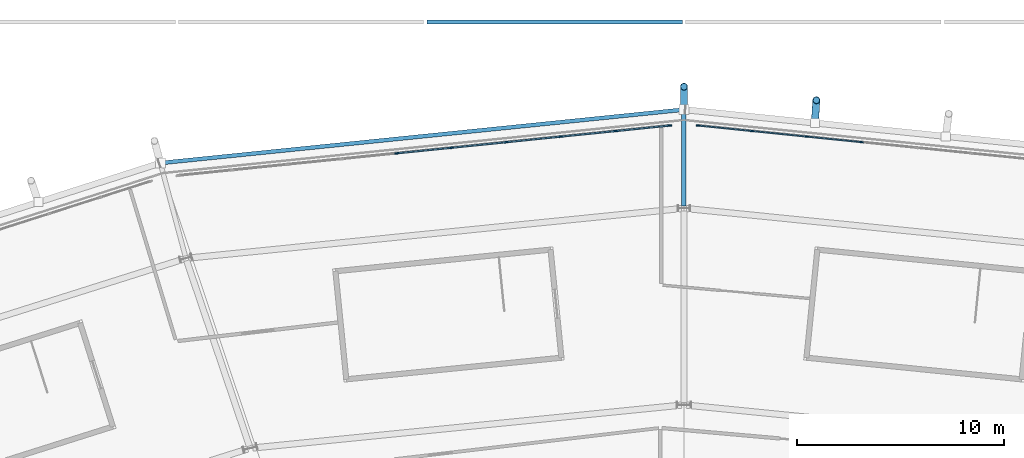
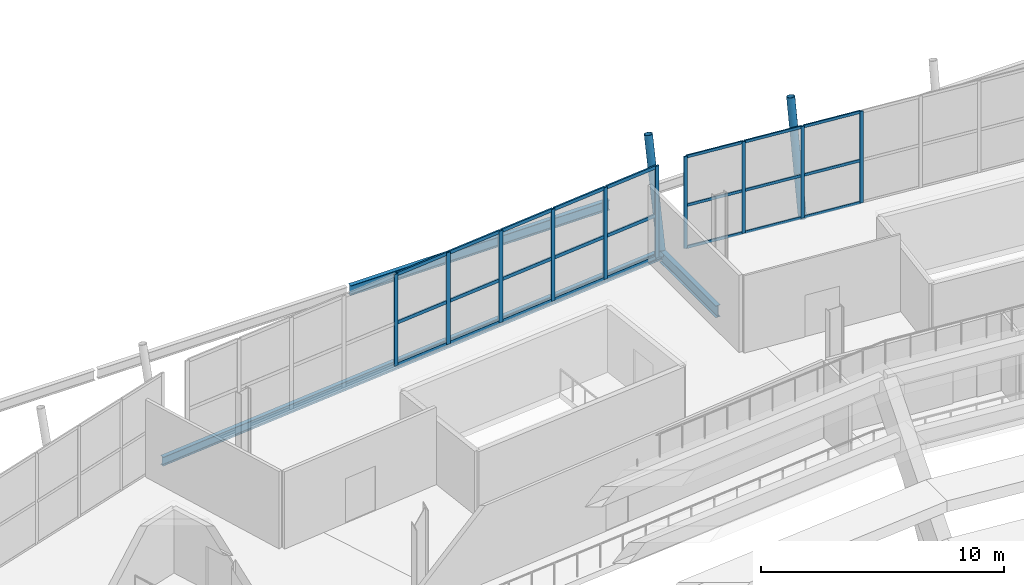
# One storey, part 54 of 126: 36 members, 3 beams, 2 elements without a shape of their own.
"""IFC4 building model written with IfcOpenShell, lengths in metres."""

from ifc_helpers import new_model, si_unit, direction, frame, origin, origin_2d, place, context, subcontext, project, spatial, rectangle, hollow_circle, i_section, extrude, material, material_profile, profile_set, type_object, element, aggregate, save


model = new_model("IFC4")

# Units and contexts
model_context = context("Model", 3, precision=1e-05, world=origin(), true_north=direction((0.0, 1.0)))
body_context = subcontext(model_context, "Body", "Model", "MODEL_VIEW")
ifc_project = project(units=[si_unit("LENGTHUNIT", "METRE"), si_unit("AREAUNIT", "SQUARE_METRE"), si_unit("VOLUMEUNIT", "CUBIC_METRE"), si_unit("PLANEANGLEUNIT", "RADIAN"), si_unit("MASSUNIT", "GRAM", prefix="KILO")], contexts=[model_context])

# Site, building, storey
site_placement = place(None, origin())
site = spatial("IfcSite", under=ifc_project, at=site_placement, CompositionType="ELEMENT")
building_placement = place(site_placement, origin())
building = spatial("IfcBuilding", under=site, at=building_placement, Name="Zlatoyarsky Gate Stadium", CompositionType="ELEMENT")
storey_placement = place(building_placement, frame((0.0, 0.0, 20.800048828125)))
storey = spatial("IfcBuildingStorey", under=building, at=storey_placement, Name="L04", CompositionType="ELEMENT", Elevation=20.800048828125)

# Curtain wall, members
ifc_material_1 = material(Name="Thermally broken anodised aluminium curtain wall", Category="aluminium")
curtain_wall_type_1 = type_object("IfcCurtainWallType", Name="MONUMENTAL ARCHED GATE GLAZING LOWER", PredefinedType="USERDEFINED", material=ifc_material_1)
curtain_wall_1_placement = place(storey_placement, origin())
curtain_wall_1 = element("IfcCurtainWall", 1, at=curtain_wall_1_placement, inside=storey, type_object=curtain_wall_type_1, Name="Curtain wall CW-L04-06", ObjectType="ARCHED GATE GLAZING", PredefinedType="USERDEFINED")
ifc_material_2 = material(Name="Anodised aluminium 6063-T6", Category="aluminium")
ifc_material_profile_1 = material_profile(ifc_material_2, rectangle(XDim=0.074951171875, YDim=0.18994140625, at=origin_2d()), Name="ALU 75X190")
ifc_profile_set_1 = profile_set([ifc_material_profile_1], Name="Anodised aluminium 6063-T6")
member_type_1 = type_object("IfcMemberType", Name="ALUMINIUM GATE MULLION 75X190", PredefinedType="MULLION", material=ifc_profile_set_1)
member_1_placement = place(storey_placement, frame((110.31591796875, 155.0, 0.0), z_axis=(0.0, 0.0, 1.0), x_axis=(0.10129293102, -0.994856644007, 0.0)))
member_1 = element("IfcMember", 2, at=member_1_placement, type_object=member_type_1, Name="CW-AG1 mullion 1", PredefinedType="MULLION", context=body_context, shape_type="SweptSolid", body=[
    extrude(rectangle(XDim=0.074951171875, YDim=0.18994140625, at=origin_2d()), origin(), (0.0, 0.0, 1.0), 4.619873046875),
])
member_2_placement = place(storey_placement, frame((107.70556640625, 154.734130859375, 0.0), z_axis=(0.0, 0.0, 1.0), x_axis=(0.10129293102, -0.994856644007, 0.0)))
member_2 = element("IfcMember", 3, at=member_2_placement, type_object=member_type_1, Name="CW-AG1 mullion 2", PredefinedType="MULLION", context=body_context, shape_type="SweptSolid", body=[
    extrude(rectangle(XDim=0.074951171875, YDim=0.18994140625, at=origin_2d()), origin(), (0.0, 0.0, 1.0), 4.619873046875),
])
member_3_placement = place(storey_placement, frame((105.0576171875, 154.464599609375, 0.0), z_axis=(0.0, 0.0, 1.0), x_axis=(0.10129293102, -0.994856644007, 0.0)))
member_3 = element("IfcMember", 4, at=member_3_placement, type_object=member_type_1, Name="CW-AG1 mullion 3", PredefinedType="MULLION", context=body_context, shape_type="SweptSolid", body=[
    extrude(rectangle(XDim=0.074951171875, YDim=0.18994140625, at=origin_2d()), origin(), (0.0, 0.0, 1.0), 4.619873046875),
])
member_4_placement = place(storey_placement, frame((102.409912109375, 154.195068359375, 0.0), z_axis=(0.0, 0.0, 1.0), x_axis=(0.10129293102, -0.994856644007, 0.0)))
member_4 = element("IfcMember", 5, at=member_4_placement, type_object=member_type_1, Name="CW-AG1 mullion 4", PredefinedType="MULLION", context=body_context, shape_type="SweptSolid", body=[
    extrude(rectangle(XDim=0.074951171875, YDim=0.18994140625, at=origin_2d()), origin(), (0.0, 0.0, 1.0), 4.619873046875),
])
member_5_placement = place(storey_placement, frame((99.76220703125, 153.925537109375, 0.0), z_axis=(0.0, 0.0, 1.0), x_axis=(0.10129293102, -0.994856644007, 0.0)))
member_5 = element("IfcMember", 6, at=member_5_placement, type_object=member_type_1, Name="CW-AG1 mullion 5", PredefinedType="MULLION", context=body_context, shape_type="SweptSolid", body=[
    extrude(rectangle(XDim=0.074951171875, YDim=0.18994140625, at=origin_2d()), origin(), (0.0, 0.0, 1.0), 4.619873046875),
])
member_6_placement = place(storey_placement, frame((97.1142578125, 153.65576171875, 0.0), z_axis=(0.0, 0.0, 1.0), x_axis=(0.10129293102, -0.994856644007, 0.0)))
member_6 = element("IfcMember", 7, at=member_6_placement, type_object=member_type_1, Name="CW-AG1 mullion 6", PredefinedType="MULLION", context=body_context, shape_type="SweptSolid", body=[
    extrude(rectangle(XDim=0.074951171875, YDim=0.18994140625, at=origin_2d()), origin(), (0.0, 0.0, 1.0), 4.619873046875),
])
ifc_material_profile_2 = material_profile(ifc_material_2, rectangle(XDim=0.074951171875, YDim=0.169921875, at=origin_2d()), Name="ALU 75X170")
ifc_profile_set_2 = profile_set([ifc_material_profile_2], Name="Anodised aluminium 6063-T6")
member_type_2 = type_object("IfcMemberType", Name="ALUMINIUM GATE TRANSOM 75X170", PredefinedType="USERDEFINED", material=ifc_profile_set_2)
member_7_placement = place(storey_placement, frame((110.278564453125, 154.99609375, 0.037353515625), z_axis=(-0.994861153899, -0.101248626966, 0.0), x_axis=(0.101248626966, -0.994861153899, 0.0)))
member_7 = element("IfcMember", 8, at=member_7_placement, type_object=member_type_2, Name="CW-AG1 transom 1.1", ObjectType="TRANSOM", PredefinedType="USERDEFINED", context=body_context, shape_type="SweptSolid", body=[
    extrude(rectangle(XDim=0.074951171875, YDim=0.169921875, at=origin_2d()), origin(), (0.0, 0.0, 1.0), 2.548828125),
])
member_8_placement = place(storey_placement, frame((110.278564453125, 154.99609375, 2.14990234375), z_axis=(-0.994861153899, -0.101248626966, 0.0), x_axis=(0.101248626966, -0.994861153899, 0.0)))
member_8 = element("IfcMember", 9, at=member_8_placement, type_object=member_type_2, Name="CW-AG1 transom 1.2", ObjectType="TRANSOM", PredefinedType="USERDEFINED", context=body_context, shape_type="SweptSolid", body=[
    extrude(rectangle(XDim=0.074951171875, YDim=0.169921875, at=origin_2d()), origin(), (0.0, 0.0, 1.0), 2.548828125),
])
member_9_placement = place(storey_placement, frame((110.278564453125, 154.99609375, 4.58251953125), z_axis=(-0.994861153899, -0.101248626966, 0.0), x_axis=(0.101248626966, -0.994861153899, 0.0)))
member_9 = element("IfcMember", 10, at=member_9_placement, type_object=member_type_2, Name="CW-AG1 transom 1.3", ObjectType="TRANSOM", PredefinedType="USERDEFINED", context=body_context, shape_type="SweptSolid", body=[
    extrude(rectangle(XDim=0.074951171875, YDim=0.169921875, at=origin_2d()), origin(), (0.0, 0.0, 1.0), 2.548828125),
])
member_10_placement = place(storey_placement, frame((107.668212890625, 154.73046875, 0.037353515625), z_axis=(-0.994858042808, -0.101279191644, 0.0), x_axis=(0.101279191644, -0.994858042808, 0.0)))
member_10 = element("IfcMember", 11, at=member_10_placement, type_object=member_type_2, Name="CW-AG1 transom 2.1", ObjectType="TRANSOM", PredefinedType="USERDEFINED", context=body_context, shape_type="SweptSolid", body=[
    extrude(rectangle(XDim=0.074951171875, YDim=0.169921875, at=origin_2d()), origin(), (0.0, 0.0, 1.0), 2.58642578125),
])
member_11_placement = place(storey_placement, frame((107.668212890625, 154.73046875, 2.14990234375), z_axis=(-0.994858042808, -0.101279191644, 0.0), x_axis=(0.101279191644, -0.994858042808, 0.0)))
member_11 = element("IfcMember", 12, at=member_11_placement, type_object=member_type_2, Name="CW-AG1 transom 2.2", ObjectType="TRANSOM", PredefinedType="USERDEFINED", context=body_context, shape_type="SweptSolid", body=[
    extrude(rectangle(XDim=0.074951171875, YDim=0.169921875, at=origin_2d()), origin(), (0.0, 0.0, 1.0), 2.58642578125),
])
member_12_placement = place(storey_placement, frame((107.668212890625, 154.73046875, 4.58251953125), z_axis=(-0.994858042808, -0.101279191644, 0.0), x_axis=(0.101279191644, -0.994858042808, 0.0)))
member_12 = element("IfcMember", 13, at=member_12_placement, type_object=member_type_2, Name="CW-AG1 transom 2.3", ObjectType="TRANSOM", PredefinedType="USERDEFINED", context=body_context, shape_type="SweptSolid", body=[
    extrude(rectangle(XDim=0.074951171875, YDim=0.169921875, at=origin_2d()), origin(), (0.0, 0.0, 1.0), 2.58642578125),
])
member_13_placement = place(storey_placement, frame((105.0205078125, 154.4609375, 0.037353515625), z_axis=(-0.994848528046, -0.101372610922, 0.0), x_axis=(0.101372610922, -0.994848528046, 0.0)))
member_13 = element("IfcMember", 14, at=member_13_placement, type_object=member_type_2, Name="CW-AG1 transom 3.1", ObjectType="TRANSOM", PredefinedType="USERDEFINED", context=body_context, shape_type="SweptSolid", body=[
    extrude(rectangle(XDim=0.074951171875, YDim=0.169921875, at=origin_2d()), origin(), (0.0, 0.0, 1.0), 2.586669921875),
])
member_14_placement = place(storey_placement, frame((105.0205078125, 154.4609375, 2.14990234375), z_axis=(-0.994848528046, -0.101372610922, 0.0), x_axis=(0.101372610922, -0.994848528046, 0.0)))
member_14 = element("IfcMember", 15, at=member_14_placement, type_object=member_type_2, Name="CW-AG1 transom 3.2", ObjectType="TRANSOM", PredefinedType="USERDEFINED", context=body_context, shape_type="SweptSolid", body=[
    extrude(rectangle(XDim=0.074951171875, YDim=0.169921875, at=origin_2d()), origin(), (0.0, 0.0, 1.0), 2.586669921875),
])
member_15_placement = place(storey_placement, frame((105.0205078125, 154.4609375, 4.58251953125), z_axis=(-0.994848528046, -0.101372610922, 0.0), x_axis=(0.101372610922, -0.994848528046, 0.0)))
member_15 = element("IfcMember", 16, at=member_15_placement, type_object=member_type_2, Name="CW-AG1 transom 3.3", ObjectType="TRANSOM", PredefinedType="USERDEFINED", context=body_context, shape_type="SweptSolid", body=[
    extrude(rectangle(XDim=0.074951171875, YDim=0.169921875, at=origin_2d()), origin(), (0.0, 0.0, 1.0), 2.586669921875),
])
member_16_placement = place(storey_placement, frame((102.37255859375, 154.191162109375, 0.037353515625), z_axis=(-0.994857074481, -0.101288703, 0.0), x_axis=(0.101288703, -0.994857074481, 0.0)))
member_16 = element("IfcMember", 17, at=member_16_placement, type_object=member_type_2, Name="CW-AG1 transom 4.1", ObjectType="TRANSOM", PredefinedType="USERDEFINED", context=body_context, shape_type="SweptSolid", body=[
    extrude(rectangle(XDim=0.074951171875, YDim=0.169921875, at=origin_2d()), origin(), (0.0, 0.0, 1.0), 2.586181640625),
])
member_17_placement = place(storey_placement, frame((102.37255859375, 154.191162109375, 2.14990234375), z_axis=(-0.994857074481, -0.101288703, 0.0), x_axis=(0.101288703, -0.994857074481, 0.0)))
member_17 = element("IfcMember", 18, at=member_17_placement, type_object=member_type_2, Name="CW-AG1 transom 4.2", ObjectType="TRANSOM", PredefinedType="USERDEFINED", context=body_context, shape_type="SweptSolid", body=[
    extrude(rectangle(XDim=0.074951171875, YDim=0.169921875, at=origin_2d()), origin(), (0.0, 0.0, 1.0), 2.586181640625),
])
member_18_placement = place(storey_placement, frame((102.37255859375, 154.191162109375, 4.58251953125), z_axis=(-0.994857074481, -0.101288703, 0.0), x_axis=(0.101288703, -0.994857074481, 0.0)))
member_18 = element("IfcMember", 19, at=member_18_placement, type_object=member_type_2, Name="CW-AG1 transom 4.3", ObjectType="TRANSOM", PredefinedType="USERDEFINED", context=body_context, shape_type="SweptSolid", body=[
    extrude(rectangle(XDim=0.074951171875, YDim=0.169921875, at=origin_2d()), origin(), (0.0, 0.0, 1.0), 2.586181640625),
])
member_19_placement = place(storey_placement, frame((99.724853515625, 153.921630859375, 0.037353515625), z_axis=(-0.994858042808, -0.101279191644, 0.0), x_axis=(0.101279191644, -0.994858042808, 0.0)))
member_19 = element("IfcMember", 20, at=member_19_placement, type_object=member_type_2, Name="CW-AG1 transom 5.1", ObjectType="TRANSOM", PredefinedType="USERDEFINED", context=body_context, shape_type="SweptSolid", body=[
    extrude(rectangle(XDim=0.074951171875, YDim=0.169921875, at=origin_2d()), origin(), (0.0, 0.0, 1.0), 2.58642578125),
])
member_20_placement = place(storey_placement, frame((99.724853515625, 153.921630859375, 2.14990234375), z_axis=(-0.994858042808, -0.101279191644, 0.0), x_axis=(0.101279191644, -0.994858042808, 0.0)))
member_20 = element("IfcMember", 21, at=member_20_placement, type_object=member_type_2, Name="CW-AG1 transom 5.2", ObjectType="TRANSOM", PredefinedType="USERDEFINED", context=body_context, shape_type="SweptSolid", body=[
    extrude(rectangle(XDim=0.074951171875, YDim=0.169921875, at=origin_2d()), origin(), (0.0, 0.0, 1.0), 2.58642578125),
])
member_21_placement = place(storey_placement, frame((99.724853515625, 153.921630859375, 4.58251953125), z_axis=(-0.994858042808, -0.101279191644, 0.0), x_axis=(0.101279191644, -0.994858042808, 0.0)))
member_21 = element("IfcMember", 22, at=member_21_placement, type_object=member_type_2, Name="CW-AG1 transom 5.3", ObjectType="TRANSOM", PredefinedType="USERDEFINED", context=body_context, shape_type="SweptSolid", body=[
    extrude(rectangle(XDim=0.074951171875, YDim=0.169921875, at=origin_2d()), origin(), (0.0, 0.0, 1.0), 2.58642578125),
])
aggregate(curtain_wall_1, [member_1, member_2, member_3, member_4, member_5, member_6, member_7, member_8, member_9, member_10, member_11, member_12, member_13, member_14, member_15, member_16, member_17, member_18, member_19, member_20, member_21])

curtain_wall_type_2 = type_object("IfcCurtainWallType", Name="UNITISED MEDIA RING GLAZING L04", PredefinedType="USERDEFINED", material=ifc_material_1)
curtain_wall_2_placement = place(storey_placement, origin())
curtain_wall_2 = element("IfcCurtainWall", 23, at=curtain_wall_2_placement, inside=storey, type_object=curtain_wall_type_2, Name="Curtain wall CW-L04-05", ObjectType="UNITISED GLAZING", PredefinedType="USERDEFINED")
ifc_material_profile_3 = material_profile(ifc_material_2, rectangle(XDim=0.06494140625, YDim=0.159912109375, at=origin_2d()), Name="ALU 65X160")
ifc_profile_set_3 = profile_set([ifc_material_profile_3], Name="Anodised aluminium 6063-T6")
member_type_3 = type_object("IfcMemberType", Name="ALUMINIUM MULLION 65X160", PredefinedType="MULLION", material=ifc_profile_set_3)
member_22_placement = place(storey_placement, frame((119.590087890625, 154.195068359375, 0.0), z_axis=(0.0, 0.0, 1.0), x_axis=(-0.10129293102, -0.994856644007, 0.0)))
member_22 = element("IfcMember", 24, at=member_22_placement, type_object=member_type_3, Name="CW-UG4 mullion 7", PredefinedType="MULLION", context=body_context, shape_type="SweptSolid", body=[
    extrude(rectangle(XDim=0.06494140625, YDim=0.159912109375, at=origin_2d()), origin(), (0.0, 0.0, 1.0), 4.619873046875),
])
member_23_placement = place(storey_placement, frame((116.9423828125, 154.464599609375, 0.0), z_axis=(0.0, 0.0, 1.0), x_axis=(-0.10129293102, -0.994856644007, 0.0)))
member_23 = element("IfcMember", 25, at=member_23_placement, type_object=member_type_3, Name="CW-UG4 mullion 8", PredefinedType="MULLION", context=body_context, shape_type="SweptSolid", body=[
    extrude(rectangle(XDim=0.06494140625, YDim=0.159912109375, at=origin_2d()), origin(), (0.0, 0.0, 1.0), 4.619873046875),
])
member_24_placement = place(storey_placement, frame((114.29443359375, 154.734130859375, 0.0), z_axis=(0.0, 0.0, 1.0), x_axis=(-0.10129293102, -0.994856644007, 0.0)))
member_24 = element("IfcMember", 26, at=member_24_placement, type_object=member_type_3, Name="CW-UG4 mullion 9", PredefinedType="MULLION", context=body_context, shape_type="SweptSolid", body=[
    extrude(rectangle(XDim=0.06494140625, YDim=0.159912109375, at=origin_2d()), origin(), (0.0, 0.0, 1.0), 4.619873046875),
])
member_25_placement = place(storey_placement, frame((111.678955078125, 155.00048828125, 0.0), z_axis=(0.0, 0.0, 1.0), x_axis=(-0.10129293102, -0.994856644007, 0.0)))
member_25 = element("IfcMember", 27, at=member_25_placement, type_object=member_type_3, Name="CW-UG4 mullion 10", PredefinedType="MULLION", context=body_context, shape_type="SweptSolid", body=[
    extrude(rectangle(XDim=0.06494140625, YDim=0.159912109375, at=origin_2d()), origin(), (0.0, 0.0, 1.0), 4.619873046875),
])
ifc_material_profile_4 = material_profile(ifc_material_2, rectangle(XDim=0.06494140625, YDim=0.139892578125, at=origin_2d()), Name="ALU 65X140")
ifc_profile_set_4 = profile_set([ifc_material_profile_4], Name="Anodised aluminium 6063-T6")
member_type_4 = type_object("IfcMemberType", Name="ALUMINIUM TRANSOM 65X140", PredefinedType="USERDEFINED", material=ifc_profile_set_4)
member_26_placement = place(storey_placement, frame((119.5576171875, 154.1982421875, 0.032470703125), z_axis=(-0.994849247799, 0.101365547176, 0.0), x_axis=(-0.101365547176, -0.994849247799, 0.0)))
member_26 = element("IfcMember", 28, at=member_26_placement, type_object=member_type_4, Name="CW-UG4 transom 7.1", ObjectType="TRANSOM", PredefinedType="USERDEFINED", context=body_context, shape_type="SweptSolid", body=[
    extrude(rectangle(XDim=0.06494140625, YDim=0.139892578125, at=origin_2d()), origin(), (0.0, 0.0, 1.0), 2.596435546875),
])
member_27_placement = place(storey_placement, frame((119.5576171875, 154.1982421875, 2.14990234375), z_axis=(-0.994849247799, 0.101365547176, 0.0), x_axis=(-0.101365547176, -0.994849247799, 0.0)))
member_27 = element("IfcMember", 29, at=member_27_placement, type_object=member_type_4, Name="CW-UG4 transom 7.2", ObjectType="TRANSOM", PredefinedType="USERDEFINED", context=body_context, shape_type="SweptSolid", body=[
    extrude(rectangle(XDim=0.06494140625, YDim=0.139892578125, at=origin_2d()), origin(), (0.0, 0.0, 1.0), 2.596435546875),
])
member_28_placement = place(storey_placement, frame((119.5576171875, 154.1982421875, 4.58740234375), z_axis=(-0.994849247799, 0.101365547176, 0.0), x_axis=(-0.101365547176, -0.994849247799, 0.0)))
member_28 = element("IfcMember", 30, at=member_28_placement, type_object=member_type_4, Name="CW-UG4 transom 7.3", ObjectType="TRANSOM", PredefinedType="USERDEFINED", context=body_context, shape_type="SweptSolid", body=[
    extrude(rectangle(XDim=0.06494140625, YDim=0.139892578125, at=origin_2d()), origin(), (0.0, 0.0, 1.0), 2.596435546875),
])
member_29_placement = place(storey_placement, frame((116.909912109375, 154.468017578125, 0.032470703125), z_axis=(-0.994858725957, 0.101272480894, 0.0), x_axis=(-0.101272480894, -0.994858725957, 0.0)))
member_29 = element("IfcMember", 31, at=member_29_placement, type_object=member_type_4, Name="CW-UG4 transom 8.1", ObjectType="TRANSOM", PredefinedType="USERDEFINED", context=body_context, shape_type="SweptSolid", body=[
    extrude(rectangle(XDim=0.06494140625, YDim=0.139892578125, at=origin_2d()), origin(), (0.0, 0.0, 1.0), 2.596435546875),
])
member_30_placement = place(storey_placement, frame((116.909912109375, 154.468017578125, 2.14990234375), z_axis=(-0.994858725957, 0.101272480894, 0.0), x_axis=(-0.101272480894, -0.994858725957, 0.0)))
member_30 = element("IfcMember", 32, at=member_30_placement, type_object=member_type_4, Name="CW-UG4 transom 8.2", ObjectType="TRANSOM", PredefinedType="USERDEFINED", context=body_context, shape_type="SweptSolid", body=[
    extrude(rectangle(XDim=0.06494140625, YDim=0.139892578125, at=origin_2d()), origin(), (0.0, 0.0, 1.0), 2.596435546875),
])
member_31_placement = place(storey_placement, frame((116.909912109375, 154.468017578125, 4.58740234375), z_axis=(-0.994858725957, 0.101272480894, 0.0), x_axis=(-0.101272480894, -0.994858725957, 0.0)))
member_31 = element("IfcMember", 33, at=member_31_placement, type_object=member_type_4, Name="CW-UG4 transom 8.3", ObjectType="TRANSOM", PredefinedType="USERDEFINED", context=body_context, shape_type="SweptSolid", body=[
    extrude(rectangle(XDim=0.06494140625, YDim=0.139892578125, at=origin_2d()), origin(), (0.0, 0.0, 1.0), 2.596435546875),
])
member_32_placement = place(storey_placement, frame((114.26220703125, 154.737548828125, 0.032470703125), z_axis=(-0.994854532234, 0.101313669822, 0.0), x_axis=(-0.101313669822, -0.994854532234, 0.0)))
member_32 = element("IfcMember", 34, at=member_32_placement, type_object=member_type_4, Name="CW-UG4 transom 9.1", ObjectType="TRANSOM", PredefinedType="USERDEFINED", context=body_context, shape_type="SweptSolid", body=[
    extrude(rectangle(XDim=0.06494140625, YDim=0.139892578125, at=origin_2d()), origin(), (0.0, 0.0, 1.0), 2.56396484375),
])
member_33_placement = place(storey_placement, frame((114.26220703125, 154.737548828125, 2.14990234375), z_axis=(-0.994854532234, 0.101313669822, 0.0), x_axis=(-0.101313669822, -0.994854532234, 0.0)))
member_33 = element("IfcMember", 35, at=member_33_placement, type_object=member_type_4, Name="CW-UG4 transom 9.2", ObjectType="TRANSOM", PredefinedType="USERDEFINED", context=body_context, shape_type="SweptSolid", body=[
    extrude(rectangle(XDim=0.06494140625, YDim=0.139892578125, at=origin_2d()), origin(), (0.0, 0.0, 1.0), 2.56396484375),
])
member_34_placement = place(storey_placement, frame((114.26220703125, 154.737548828125, 4.58740234375), z_axis=(-0.994854532234, 0.101313669822, 0.0), x_axis=(-0.101313669822, -0.994854532234, 0.0)))
member_34 = element("IfcMember", 36, at=member_34_placement, type_object=member_type_4, Name="CW-UG4 transom 9.3", ObjectType="TRANSOM", PredefinedType="USERDEFINED", context=body_context, shape_type="SweptSolid", body=[
    extrude(rectangle(XDim=0.06494140625, YDim=0.139892578125, at=origin_2d()), origin(), (0.0, 0.0, 1.0), 2.56396484375),
])
aggregate(curtain_wall_2, [member_22, member_23, member_24, member_25, member_26, member_27, member_28, member_29, member_30, member_31, member_32, member_33, member_34])

# Beams
ifc_material_3 = material(Name="Steel S355", Category="steel")
ifc_material_profile_5 = material_profile(ifc_material_3, i_section(OverallWidth=0.219970703125, OverallDepth=0.60009765625, WebThickness=0.011962890625, FlangeThickness=0.01904296875, FilletRadius=0.02392578125, at=origin_2d()), Name="IPE 600")
ifc_profile_set_5 = profile_set([ifc_material_profile_5], Name="Steel S355")
beam_type_1 = type_object("IfcBeamType", Name="STEEL CANTILEVER FLOOR BEAM IPE 600", PredefinedType="BEAM", material=ifc_profile_set_5)
beam_1_placement = place(storey_placement, frame((111.0, 151.1201171875, -0.60009765625), z_axis=(0.0, 1.0, 0.0), x_axis=(-1.0, 0.0, 0.0)))
element("IfcBeam", 37, at=beam_1_placement, inside=storey, type_object=beam_type_1, Name="Beam B-IPE600 BM-L04-OUT-06", PredefinedType="BEAM", context=body_context, shape_type="SweptSolid", body=[
    extrude(i_section(OverallWidth=0.219970703125, OverallDepth=0.60009765625, WebThickness=0.011962890625, FlangeThickness=0.01904296875, FilletRadius=0.02392578125, at=origin_2d()), origin(), (0.0, 0.0, 1.0), 4.6494140625),
])
ifc_material_profile_6 = material_profile(ifc_material_3, i_section(OverallWidth=0.18994140625, OverallDepth=0.449951171875, WebThickness=0.009521484375, FlangeThickness=0.0146484375, FilletRadius=0.02099609375, at=origin_2d()), Name="IPE 450")
ifc_profile_set_6 = profile_set([ifc_material_profile_6], Name="Steel S355")
beam_type_2 = type_object("IfcBeamType", Name="STEEL EDGE SPANDREL IPE 450", PredefinedType="SPANDREL", material=ifc_profile_set_6)
beam_2_placement = place(storey_placement, frame((110.97998046875, 155.767578125, -0.525146484375), z_axis=(-0.994834717101, -0.10150805707, 0.0), x_axis=(0.10150805707, -0.994834717101, 0.0)))
element("IfcBeam", 38, at=beam_2_placement, inside=storey, type_object=beam_type_2, Name="Beam SP-IPE450 BM-L04-SPD-06", PredefinedType="SPANDREL", context=body_context, shape_type="SweptSolid", body=[
    extrude(i_section(OverallWidth=0.18994140625, OverallDepth=0.449951171875, WebThickness=0.009521484375, FlangeThickness=0.0146484375, FilletRadius=0.02099609375, at=origin_2d()), origin(), (0.0, 0.0, 1.0), 25.395751953125),
])
ifc_material_profile_7 = material_profile(ifc_material_3, i_section(OverallWidth=0.199951171875, OverallDepth=0.5, WebThickness=0.01025390625, FlangeThickness=0.01611328125, FilletRadius=0.02099609375, at=origin_2d()), Name="IPE 500")
ifc_profile_set_7 = profile_set([ifc_material_profile_7], Name="Steel S355")
beam_type_3 = type_object("IfcBeamType", Name="STEEL FLOOR BEAM IPE 500", PredefinedType="BEAM", material=ifc_profile_set_7)
beam_3_placement = place(storey_placement, frame((98.580078125, 160.0, -0.550048828125), z_axis=(1.0, 0.0, 0.0), x_axis=(0.0, 1.0, 0.0)))
element("IfcBeam", 39, at=beam_3_placement, inside=storey, type_object=beam_type_3, Name="Beam B-IPE500 BM-L04-WGX-9-Q", PredefinedType="BEAM", context=body_context, shape_type="SweptSolid", body=[
    extrude(i_section(OverallWidth=0.199951171875, OverallDepth=0.5, WebThickness=0.01025390625, FlangeThickness=0.01611328125, FilletRadius=0.02099609375, at=origin_2d()), origin(), (0.0, 0.0, 1.0), 12.33984375),
])

# Members
ifc_material_profile_8 = material_profile(ifc_material_3, hollow_circle(Radius=0.177734375, WallThickness=0.02001953125, at=origin_2d()), Name="CHS 355.6X20")
ifc_profile_set_8 = profile_set([ifc_material_profile_8], Name="Steel S355")
member_type_5 = type_object("IfcMemberType", Name="STEEL LEANING RIB RING STRUT CHS 355.6X20", PredefinedType="STRUT", material=ifc_profile_set_8)
member_35_placement = place(storey_placement, frame((111.0, 155.76953125, -0.60009765625), z_axis=(0.0, 0.199692055567, 0.979858705602), x_axis=(-1.0, 0.0, 0.0)))
element("IfcMember", 40, at=member_35_placement, inside=storey, type_object=member_type_5, Name="Leaning ring strut 06 L04 to L05", PredefinedType="STRUT", context=body_context, shape_type="SweptSolid", body=[
    extrude(hollow_circle(Radius=0.177734375, WallThickness=0.02001953125, at=origin_2d()), origin(), (0.0, 0.0, 1.0), 5.5517578125),
])
member_36_placement = place(storey_placement, frame((117.326171875, 155.1240234375, -0.550048828125), z_axis=(0.012932081899, 0.198028002415, 0.980111050605), x_axis=(-0.997874469676, 0.065165502906, 0.0)))
element("IfcMember", 41, at=member_36_placement, inside=storey, type_object=member_type_5, Name="Outward-leaning bowl louvre fin rib L04 05-3", PredefinedType="STRUT", context=body_context, shape_type="SweptSolid", body=[
    extrude(hollow_circle(Radius=0.177734375, WallThickness=0.02001953125, at=origin_2d()), origin(), (0.0, 0.0, 1.0), 5.55029296875),
])

save(model, "model.ifc")
